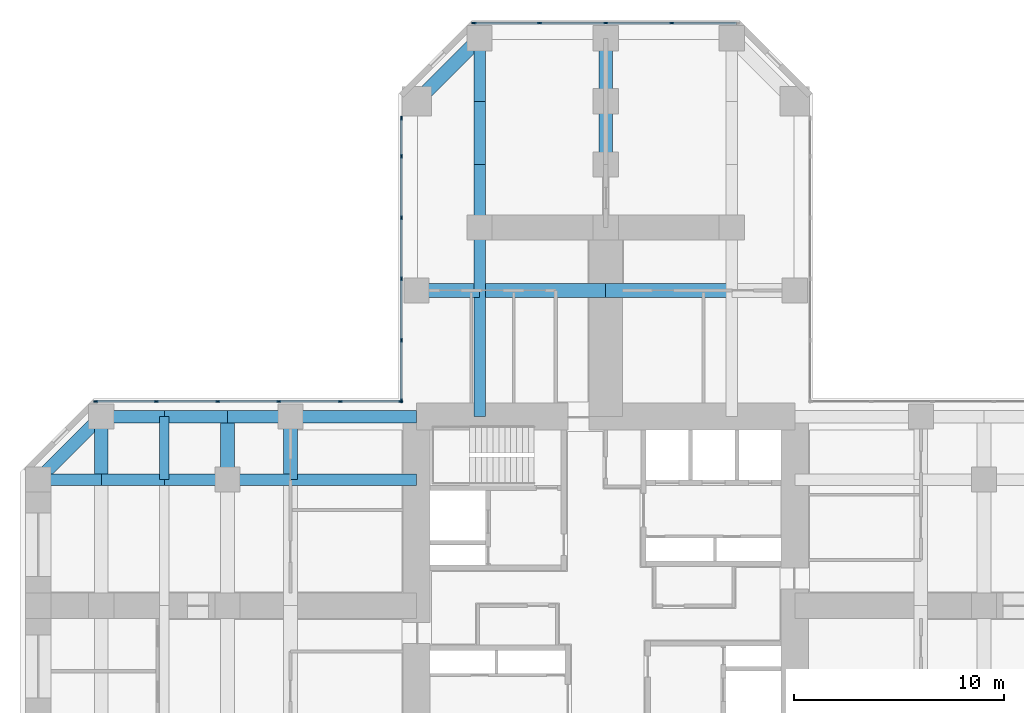
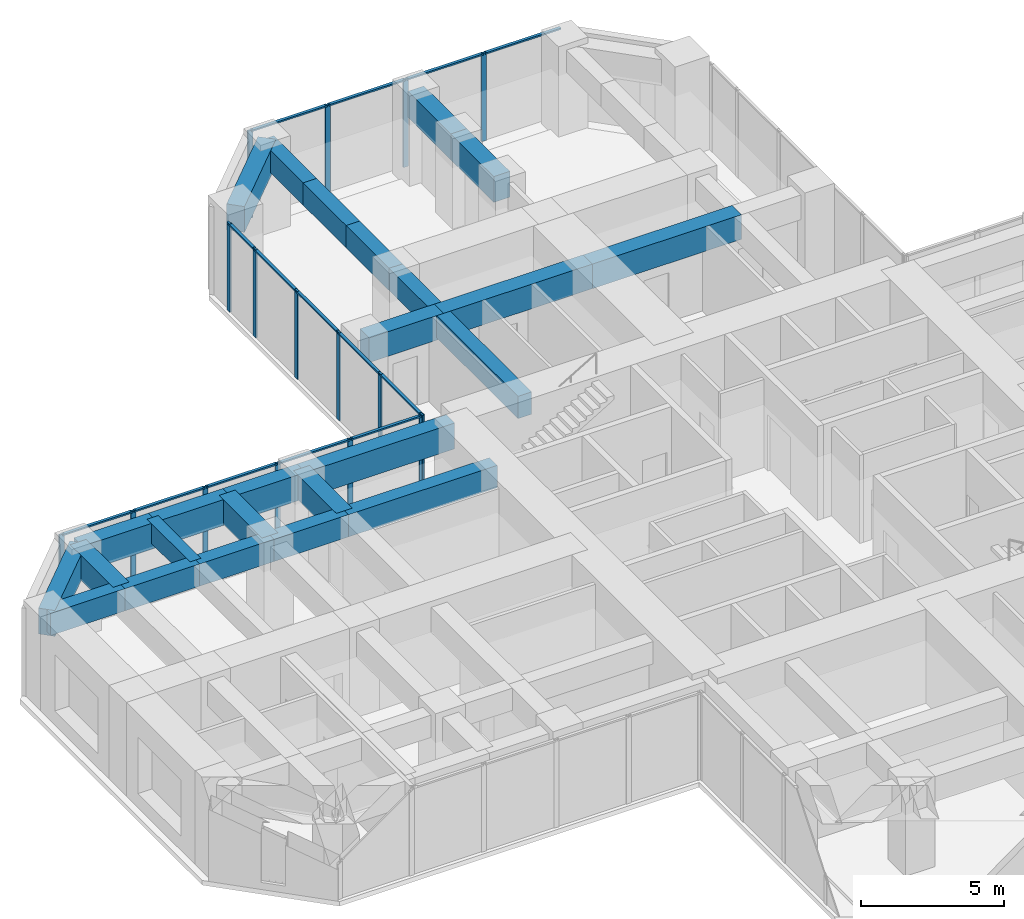
# One storey, part 5 of 13: 30 members, 25 beams, 3 elements without a shape of their own.
"""IFC4 building model written with IfcOpenShell, lengths in metres."""

import ifcopenshell
import ifcopenshell.guid

model = None  # the IFC model being written
_history = None  # IfcOwnerHistory: only IFC2X3 demands one
_inside = {}  # id of a spatial element -> (the spatial element, [elements in it])
_under = {}  # id of a project, library or spatial element -> (it, [spatial elements below it])
_declared = {}  # id of a project -> (the project, [libraries it declares])
_typed = {}  # id of a type object -> (the type object, [elements of that type])
_made_of = {}  # id of a material, layer set ... -> (it, [elements and type objects made of it])


def new_model(schema):
    """Start an empty IFC model of exactly this schema.

    Asked for "IFC4X3", IfcOpenShell would pick the latest addendum, in which some entities
    have other attributes; the version numbers below select the first issue.
    IFC2X3 requires an IfcOwnerHistory on every rooted entity: one is made here for all.
    """
    global model, _history
    if schema == "IFC4X3":
        model = ifcopenshell.file(schema_version=(4, 3, 0, 0))
    else:
        model = ifcopenshell.file(schema=schema)
    _inside.clear()
    _under.clear()
    _declared.clear()
    _typed.clear()
    _made_of.clear()
    _history = None
    if model.schema == "IFC2X3":
        org = make("IfcOrganization", Name="unknown")
        user = make(
            "IfcPersonAndOrganization",
            ThePerson=make("IfcPerson", FamilyName="unknown"),
            TheOrganization=org,
        )
        app = make(
            "IfcApplication",
            ApplicationDeveloper=org,
            Version="unknown",
            ApplicationFullName="unknown",
            ApplicationIdentifier="unknown",
        )
        _history = make(
            "IfcOwnerHistory",
            OwningUser=user,
            OwningApplication=app,
            ChangeAction="ADDED",
            CreationDate=0,
        )
    return model


def make(cls, **values):
    """One entity of the class cls with the attributes given. An attribute that is None is left unset."""
    return model.create_entity(
        cls, **{name: value for name, value in values.items() if value is not None}
    )


def rooted(cls, **values):
    """An entity with a GlobalId (a new one), such as an element, a storey or a relation."""
    return make(cls, GlobalId=ifcopenshell.guid.new(), OwnerHistory=_history, **values)


def si_unit(unit_type, name, prefix=None):
    """IfcSIUnit, for example si_unit("LENGTHUNIT", "METRE", prefix="MILLI")."""
    return make("IfcSIUnit", UnitType=unit_type, Prefix=prefix, Name=name)


def assignment(units):
    """IfcUnitAssignment: the units of a project."""
    return None if units is None else make("IfcUnitAssignment", Units=units)


def point(xyz):
    """IfcCartesianPoint."""
    return None if xyz is None else make("IfcCartesianPoint", Coordinates=xyz)


def direction(xyz):
    """IfcDirection."""
    return None if xyz is None else make("IfcDirection", DirectionRatios=xyz)


def frame(location, z_axis=None, x_axis=None):
    """IfcAxis2Placement3D, a coordinate frame: its origin and axes. An axis left out is left unset."""
    return make(
        "IfcAxis2Placement3D",
        Location=point(location),
        Axis=direction(z_axis),
        RefDirection=direction(x_axis),
    )


def frame_2d(location, x_axis=None):
    """IfcAxis2Placement2D, a coordinate frame in the plane: its origin and x axis."""
    return make(
        "IfcAxis2Placement2D", Location=point(location), RefDirection=direction(x_axis)
    )


def origin():
    """The frame at (0, 0, 0) with its axes left unset."""
    return frame((0.0, 0.0, 0.0))


def origin_2d():
    """The frame at (0, 0) in the plane with its x axis left unset."""
    return frame_2d((0.0, 0.0))


def place(relative_to, where):
    """IfcLocalPlacement: puts the frame where relative to a parent placement (None: the world)."""
    return make(
        "IfcLocalPlacement", PlacementRelTo=relative_to, RelativePlacement=where
    )


def context(
    kind, dimensions, precision=None, world=None, true_north=None, identifier=None
):
    """IfcGeometricRepresentationContext, for example the 3D "Model" context."""
    return make(
        "IfcGeometricRepresentationContext",
        ContextIdentifier=identifier,
        ContextType=kind,
        CoordinateSpaceDimension=dimensions,
        Precision=precision,
        WorldCoordinateSystem=world,
        TrueNorth=true_north,
    )


def subcontext(parent, identifier, kind, view, scale=None):
    """IfcGeometricRepresentationSubContext, for example "Body" below "Model"."""
    return make(
        "IfcGeometricRepresentationSubContext",
        ContextIdentifier=identifier,
        ContextType=kind,
        ParentContext=parent,
        TargetScale=scale,
        TargetView=view,
    )


def project(units=None, contexts=None):
    """IfcProject with its units and contexts."""
    return rooted(
        "IfcProject",
        Name="project",
        RepresentationContexts=contexts,
        UnitsInContext=assignment(units),
    )


def spatial(cls, under=None, at=None, **own):
    """A site, building, storey or space (cls), placed at a placement, below another one or the project."""
    s = rooted(cls, ObjectPlacement=at, **own)
    if under is not None:
        _under.setdefault(under.id(), (under, []))[1].append(s)
    return s


def profile(cls, at=None, kind="AREA", **sizes):
    """A parametric profile (cls). Its sizes go by their IFC names, for example OverallWidth=200.0."""
    return make(cls, ProfileType=kind, Position=at, **sizes)


def rectangle(**sizes):
    """IfcRectangleProfileDef."""
    return profile("IfcRectangleProfileDef", **sizes)


def extrude(swept, where, along, depth):
    """IfcExtrudedAreaSolid: the profile swept, set in the frame where, extruded along a direction by depth."""
    return make(
        "IfcExtrudedAreaSolid",
        SweptArea=swept,
        Position=where,
        ExtrudedDirection=direction(along),
        Depth=depth,
    )


def shape(context_of_items, identifier, shape_type, items):
    """IfcShapeRepresentation: the items that make up one representation, for example the "Body"."""
    return make(
        "IfcShapeRepresentation",
        ContextOfItems=context_of_items,
        RepresentationIdentifier=identifier,
        RepresentationType=shape_type,
        Items=items,
    )


def material(Name=None, Category=None):
    """IfcMaterial."""
    return make("IfcMaterial", Name=Name, Category=Category)


def material_profile(
    of_material, cross_section, Name=None, Category=None, Priority=None
):
    """IfcMaterialProfile: a cross section and its material."""
    return make(
        "IfcMaterialProfile",
        Name=Name,
        Material=of_material,
        Profile=cross_section,
        Priority=Priority,
        Category=Category,
    )


def profile_set(profiles, Name=None, composite=None):
    """IfcMaterialProfileSet."""
    return make(
        "IfcMaterialProfileSet",
        Name=Name,
        MaterialProfiles=profiles,
        CompositeProfile=composite,
    )


def made_of(thing, what):
    """Note that an element or type object is made of a material, layer set ...; save() writes the relation."""
    if what is not None:
        _made_of.setdefault(what.id(), (what, []))[1].append(thing)
    return thing


def type_object(cls, material=None, **own):
    """A type object (cls), such as IfcWallType, which elements share."""
    return made_of(rooted(cls, **own), material)


def element(
    cls,
    number,
    at=None,
    inside=None,
    cuts=None,
    type_object=None,
    material=None,
    context=None,
    identifier="Body",
    shape_type=None,
    held_by="IfcProductDefinitionShape",
    body=None,
    shapes=None,
    **own,
):
    """One element of the class cls, such as IfcWall. Its Tag is "e" and its number.

    at: its placement. inside: the storey or other place that contains it. cuts: it is an
    opening in that element (IfcRelVoidsElement). A single representation is given by context,
    identifier, shape_type and body (its items); several are given by shapes. held_by: the class
    of the entity that holds the representations. save() writes the other relations.
    """
    e = rooted(cls, Tag="e%d" % number, ObjectPlacement=at, **own)
    if body is not None:
        shapes = [shape(context, identifier, shape_type, body)]
    if shapes is not None:
        e.Representation = make(held_by, Representations=shapes)
    if inside is not None:
        _inside.setdefault(inside.id(), (inside, []))[1].append(e)
    if cuts is not None:
        rooted(
            "IfcRelVoidsElement", RelatingBuildingElement=cuts, RelatedOpeningElement=e
        )
    if type_object is not None:
        _typed.setdefault(type_object.id(), (type_object, []))[1].append(e)
    return made_of(e, material)


def aggregate(whole, parts):
    """IfcRelAggregates: a whole, such as a stair, and the parts it consists of."""
    return rooted("IfcRelAggregates", RelatingObject=whole, RelatedObjects=parts)


def save(model, path):
    """Write the relations noted so far, then the file.

    IfcRelAggregates (storeys below a building ...), IfcRelContainedInSpatialStructure (elements
    in a storey), IfcRelDefinesByType, IfcRelAssociatesMaterial and IfcRelDeclares: one each for
    every whole, place, type object, material and project.
    """
    for whole, parts in _under.values():
        aggregate(whole, parts)
    for where, things in _inside.values():
        rooted(
            "IfcRelContainedInSpatialStructure",
            RelatedElements=things,
            RelatingStructure=where,
        )
    for kind, things in _typed.values():
        rooted("IfcRelDefinesByType", RelatedObjects=things, RelatingType=kind)
    for what, things in _made_of.values():
        rooted("IfcRelAssociatesMaterial", RelatedObjects=things, RelatingMaterial=what)
    for by, libraries in _declared.values():
        rooted("IfcRelDeclares", RelatingContext=by, RelatedDefinitions=libraries)
    model.write(path)


model = new_model("IFC4")

# Units and contexts
model_context = context("Model", 3, precision=1e-05, world=origin(), true_north=direction((0.0, 1.0)))
body_context = subcontext(model_context, "Body", "Model", "MODEL_VIEW")
ifc_project = project(units=[si_unit("LENGTHUNIT", "METRE"), si_unit("AREAUNIT", "SQUARE_METRE"), si_unit("VOLUMEUNIT", "CUBIC_METRE"), si_unit("PLANEANGLEUNIT", "RADIAN"), si_unit("MASSUNIT", "GRAM", prefix="KILO")], contexts=[model_context])

# Site, building, storey
site_placement = place(None, origin())
site = spatial("IfcSite", under=ifc_project, at=site_placement, CompositionType="ELEMENT")
building_placement = place(site_placement, origin())
building = spatial("IfcBuilding", under=site, at=building_placement, Name="Torre Cruceta", CompositionType="ELEMENT")
storey_placement = place(building_placement, frame((0.0, 0.0, 91.5)))
storey = spatial("IfcBuildingStorey", under=building, at=storey_placement, Name="L22", CompositionType="ELEMENT", Elevation=91.5)

# Beams
ifc_material_1 = material(Name="Concrete G60 (fck 60 MPa)", Category="concrete")
ifc_material_profile_1 = material_profile(ifc_material_1, rectangle(XDim=0.64990234375, YDim=1.10009765625, at=origin_2d()), Name="RC 650X1100")
ifc_profile_set_1 = profile_set([ifc_material_profile_1], Name="Concrete G60 (fck 60 MPa)")
beam_type_1 = type_object("IfcBeamType", Name="ARM CENTRE BEAM RC 650X1100", PredefinedType="BEAM", material=ifc_profile_set_1)
for number, where, z_axis, x_axis, name in (
    (1, (0.0, 21.0, 3.199951171875), (0.0, 1.0, 0.0), (-1.0, 0.0, 0.0), "MB2 L22 N centre 1"),
    (2, (0.0, 24.0, 3.199951171875), (0.0, 1.0, 0.0), (-1.0, 0.0, 0.0), "MB2 L22 N centre 2"),
):
    element("IfcBeam", number, at=place(storey_placement, frame(where, z_axis=z_axis, x_axis=x_axis)), inside=storey, type_object=beam_type_1, Name=name, PredefinedType="BEAM", context=body_context, shape_type="SweptSolid", body=[
        extrude(rectangle(XDim=0.64990234375, YDim=1.10009765625, at=origin_2d()), origin(), (0.0, 0.0, 1.0), 3.0),
    ])
ifc_material_2 = material(Name="Concrete G60 (fck 60 MPa)", Category="concrete")
ifc_material_profile_2 = material_profile(ifc_material_2, rectangle(XDim=0.550048828125, YDim=0.949951171875, at=origin_2d()), Name="RC 550X950")
ifc_profile_set_2 = profile_set([ifc_material_profile_2], Name="Concrete G60 (fck 60 MPa)")
beam_type_2 = type_object("IfcBeamType", Name="COLUMN LINE BEAM RC 550X950", PredefinedType="BEAM", material=ifc_profile_set_2)
beam_1_placement = place(storey_placement, frame((-6.0, 9.0, 3.27490234375), z_axis=(0.0, 1.0, 0.0), x_axis=(-1.0, 0.0, 0.0)))
element("IfcBeam", 3, at=beam_1_placement, inside=storey, type_object=beam_type_2, Name="LB3 L22 N col+ 1", PredefinedType="BEAM", context=body_context, shape_type="SweptSolid", body=[
    extrude(rectangle(XDim=0.550048828125, YDim=0.949951171875, at=origin_2d()), origin(), (0.0, 0.0, 1.0), 6.0),
])
for number, where, z_axis, x_axis, name in (
    (4, (-6.0, 15.0, 3.27490234375), (0.0, 1.0, 0.0), (-1.0, 0.0, 0.0), "LB3 L22 N col+ 2"),
    (5, (-6.0, 18.0, 3.27490234375), (0.0, 1.0, 0.0), (-1.0, 0.0, 0.0), "LB3 L22 N col+ 3"),
    (6, (-6.0, 21.0, 3.27490234375), (0.0, 1.0, 0.0), (-1.0, 0.0, 0.0), "LB3 L22 N col+ 4"),
    (7, (-6.0, 24.0, 3.27490234375), (0.0, 1.0, 0.0), (-1.0, 0.0, 0.0), "LB3 L22 N col+ 5"),
):
    element("IfcBeam", number, at=place(storey_placement, frame(where, z_axis=z_axis, x_axis=x_axis)), inside=storey, type_object=beam_type_2, Name=name, PredefinedType="BEAM", context=body_context, shape_type="SweptSolid", body=[
        extrude(rectangle(XDim=0.550048828125, YDim=0.949951171875, at=origin_2d()), origin(), (0.0, 0.0, 1.0), 3.0),
    ])
beam_2_placement = place(storey_placement, frame((-9.0, 6.0, 3.27490234375), z_axis=(-1.0, 0.0, 0.0), x_axis=(0.0, -1.0, 0.0)))
element("IfcBeam", 8, at=beam_2_placement, inside=storey, type_object=beam_type_2, Name="LB3 L22 W col- 1", PredefinedType="BEAM", context=body_context, shape_type="SweptSolid", body=[
    extrude(rectangle(XDim=0.550048828125, YDim=0.949951171875, at=origin_2d()), origin(), (0.0, 0.0, 1.0), 6.0),
])
for number, where, z_axis, x_axis, name in (
    (9, (-15.0, 6.0, 3.27490234375), (-1.0, 0.0, 0.0), (0.0, -1.0, 0.0), "LB3 L22 W col- 2"),
    (10, (-18.0, 6.0, 3.27490234375), (-1.0, 0.0, 0.0), (0.0, -1.0, 0.0), "LB3 L22 W col- 3"),
    (11, (-21.0, 6.0, 3.27490234375), (-1.0, 0.0, 0.0), (0.0, -1.0, 0.0), "LB3 L22 W col- 4"),
    (12, (-24.0, 6.0, 3.27490234375), (-1.0, 0.0, 0.0), (0.0, -1.0, 0.0), "LB3 L22 W col- 5"),
):
    element("IfcBeam", number, at=place(storey_placement, frame(where, z_axis=z_axis, x_axis=x_axis)), inside=storey, type_object=beam_type_2, Name=name, PredefinedType="BEAM", context=body_context, shape_type="SweptSolid", body=[
        extrude(rectangle(XDim=0.550048828125, YDim=0.949951171875, at=origin_2d()), origin(), (0.0, 0.0, 1.0), 3.0),
    ])
ifc_material_3 = material(Name="Concrete G60 (fck 60 MPa)", Category="concrete")
ifc_material_profile_3 = material_profile(ifc_material_3, rectangle(XDim=0.64990234375, YDim=1.050048828125, at=origin_2d()), Name="RC 650X1050")
ifc_profile_set_3 = profile_set([ifc_material_profile_3], Name="Concrete G60 (fck 60 MPa)")
beam_type_3 = type_object("IfcBeamType", Name="CROSS BEAM RC 650X1050", PredefinedType="BEAM", material=ifc_profile_set_3)
for number, where, z_axis, x_axis, name in (
    (13, (6.0, 15.0, 3.22509765625), (-1.0, 0.0, 0.0), (0.0, -1.0, 0.0), "GB3 L22 N cross15 2"),
    (14, (0.0, 15.0, 3.22509765625), (-1.0, 0.0, 0.0), (0.0, -1.0, 0.0), "GB3 L22 N cross15 3"),
):
    element("IfcBeam", number, at=place(storey_placement, frame(where, z_axis=z_axis, x_axis=x_axis)), inside=storey, type_object=beam_type_3, Name=name, PredefinedType="BEAM", context=body_context, shape_type="SweptSolid", body=[
        extrude(rectangle(XDim=0.64990234375, YDim=1.050048828125, at=origin_2d()), origin(), (0.0, 0.0, 1.0), 6.0),
    ])
for number, where, z_axis, x_axis, name in (
    (15, (-6.0, 15.0, 3.22509765625), (-1.0, 0.0, 0.0), (0.0, -1.0, 0.0), "GB3 L22 N cross15 4"),
    (16, (-15.0, 9.0, 3.22509765625), (0.0, -1.0, 0.0), (1.0, 0.0, 0.0), "GB3 L22 W cross15 1"),
    (17, (-18.0, 9.0, 3.22509765625), (0.0, -1.0, 0.0), (1.0, 0.0, 0.0), "GB3 L22 W cross18 1"),
    (18, (-24.0, 9.0, 3.22509765625), (0.0, -1.0, 0.0), (1.0, 0.0, 0.0), "GB3 L22 W cross24 1"),
):
    element("IfcBeam", number, at=place(storey_placement, frame(where, z_axis=z_axis, x_axis=x_axis)), inside=storey, type_object=beam_type_3, Name=name, PredefinedType="BEAM", context=body_context, shape_type="SweptSolid", body=[
        extrude(rectangle(XDim=0.64990234375, YDim=1.050048828125, at=origin_2d()), origin(), (0.0, 0.0, 1.0), 3.0),
    ])

# Curtain wall, members
ifc_material_4 = material(Name="Aluminium unitised curtain wall", Category="aluminium")
curtain_wall_type = type_object("IfcCurtainWallType", Name="CURTAIN WALL CW-A OFFICE LOW RISE", PredefinedType="USERDEFINED", material=ifc_material_4)
curtain_wall_1_placement = place(storey_placement, origin())
curtain_wall_1 = element("IfcCurtainWall", 19, at=curtain_wall_1_placement, inside=storey, type_object=curtain_wall_type, Name="CW-A L22 N tip 07", ObjectType="UNITISED", PredefinedType="USERDEFINED")
ifc_material_5 = material(Name="Aluminium mullion", Category="aluminium")
ifc_material_profile_4 = material_profile(ifc_material_5, rectangle(XDim=0.06494140625, YDim=0.199951171875, at=origin_2d()), Name="AL 65X200")
ifc_profile_set_4 = profile_set([ifc_material_profile_4], Name="Aluminium mullion")
member_type_1 = type_object("IfcMemberType", Name="CW-A MULLION 65X200", PredefinedType="MULLION", material=ifc_profile_set_4)
member_1_placement = place(storey_placement, frame((3.149169921875, 27.719970703125, 0.0), z_axis=(0.0, 0.0, 1.0), x_axis=(0.0, -1.0, 0.0)))
member_1 = element("IfcMember", 20, at=member_1_placement, type_object=member_type_1, Name="CW-A mullion 2", PredefinedType="MULLION", context=body_context, shape_type="SweptSolid", body=[
    extrude(rectangle(XDim=0.06494140625, YDim=0.199951171875, at=origin_2d()), origin(), (0.0, 0.0, 1.0), 3.75),
])
member_2_placement = place(storey_placement, frame((0.0, 27.719970703125, 0.0), z_axis=(0.0, 0.0, 1.0), x_axis=(0.0, -1.0, 0.0)))
member_2 = element("IfcMember", 21, at=member_2_placement, type_object=member_type_1, Name="CW-A mullion 3", PredefinedType="MULLION", context=body_context, shape_type="SweptSolid", body=[
    extrude(rectangle(XDim=0.06494140625, YDim=0.199951171875, at=origin_2d()), origin(), (0.0, 0.0, 1.0), 3.75),
])
member_3_placement = place(storey_placement, frame((-3.149169921875, 27.719970703125, 0.0), z_axis=(0.0, 0.0, 1.0), x_axis=(0.0, -1.0, 0.0)))
member_3 = element("IfcMember", 22, at=member_3_placement, type_object=member_type_1, Name="CW-A mullion 4", PredefinedType="MULLION", context=body_context, shape_type="SweptSolid", body=[
    extrude(rectangle(XDim=0.06494140625, YDim=0.199951171875, at=origin_2d()), origin(), (0.0, 0.0, 1.0), 3.75),
])
member_4_placement = place(storey_placement, frame((-6.265625, 27.719970703125, 0.0), z_axis=(0.0, 0.0, 1.0), x_axis=(0.0, -1.0, 0.0)))
member_4 = element("IfcMember", 23, at=member_4_placement, type_object=member_type_1, Name="CW-A mullion 5", PredefinedType="MULLION", context=body_context, shape_type="SweptSolid", body=[
    extrude(rectangle(XDim=0.06494140625, YDim=0.199951171875, at=origin_2d()), origin(), (0.0, 0.0, 1.0), 3.75),
])

curtain_wall_2_placement = place(storey_placement, origin())
curtain_wall_2 = element("IfcCurtainWall", 24, at=curtain_wall_2_placement, inside=storey, type_object=curtain_wall_type, Name="CW-A L22 N side 09", ObjectType="UNITISED", PredefinedType="USERDEFINED")
member_5_placement = place(storey_placement, frame((-9.719970703125, 23.198974609375, 0.0), z_axis=(0.0, 0.0, 1.0), x_axis=(1.0, 0.0, 0.0)))
member_5 = element("IfcMember", 25, at=member_5_placement, type_object=member_type_1, Name="CW-A mullion 1", PredefinedType="MULLION", context=body_context, shape_type="SweptSolid", body=[
    extrude(rectangle(XDim=0.06494140625, YDim=0.199951171875, at=origin_2d()), origin(), (0.0, 0.0, 1.0), 3.75),
])
member_6_placement = place(storey_placement, frame((-9.719970703125, 21.382568359375, 0.0), z_axis=(0.0, 0.0, 1.0), x_axis=(1.0, 0.0, 0.0)))
member_6 = element("IfcMember", 26, at=member_6_placement, type_object=member_type_1, Name="CW-A mullion 2", PredefinedType="MULLION", context=body_context, shape_type="SweptSolid", body=[
    extrude(rectangle(XDim=0.06494140625, YDim=0.199951171875, at=origin_2d()), origin(), (0.0, 0.0, 1.0), 3.75),
])
member_7_placement = place(storey_placement, frame((-9.719970703125, 18.467041015625, 0.0), z_axis=(0.0, 0.0, 1.0), x_axis=(1.0, 0.0, 0.0)))
member_7 = element("IfcMember", 27, at=member_7_placement, type_object=member_type_1, Name="CW-A mullion 3", PredefinedType="MULLION", context=body_context, shape_type="SweptSolid", body=[
    extrude(rectangle(XDim=0.06494140625, YDim=0.199951171875, at=origin_2d()), origin(), (0.0, 0.0, 1.0), 3.75),
])
member_8_placement = place(storey_placement, frame((-9.719970703125, 15.55126953125, 0.0), z_axis=(0.0, 0.0, 1.0), x_axis=(1.0, 0.0, 0.0)))
member_8 = element("IfcMember", 28, at=member_8_placement, type_object=member_type_1, Name="CW-A mullion 4", PredefinedType="MULLION", context=body_context, shape_type="SweptSolid", body=[
    extrude(rectangle(XDim=0.06494140625, YDim=0.199951171875, at=origin_2d()), origin(), (0.0, 0.0, 1.0), 3.75),
])
member_9_placement = place(storey_placement, frame((-9.719970703125, 12.6357421875, 0.0), z_axis=(0.0, 0.0, 1.0), x_axis=(1.0, 0.0, 0.0)))
member_9 = element("IfcMember", 29, at=member_9_placement, type_object=member_type_1, Name="CW-A mullion 5", PredefinedType="MULLION", context=body_context, shape_type="SweptSolid", body=[
    extrude(rectangle(XDim=0.06494140625, YDim=0.199951171875, at=origin_2d()), origin(), (0.0, 0.0, 1.0), 3.75),
])
member_10_placement = place(storey_placement, frame((-9.719970703125, 9.75244140625, 0.0), z_axis=(0.0, 0.0, 1.0), x_axis=(1.0, 0.0, 0.0)))
member_10 = element("IfcMember", 30, at=member_10_placement, type_object=member_type_1, Name="CW-A mullion 6", PredefinedType="MULLION", context=body_context, shape_type="SweptSolid", body=[
    extrude(rectangle(XDim=0.06494140625, YDim=0.199951171875, at=origin_2d()), origin(), (0.0, 0.0, 1.0), 3.75),
])

curtain_wall_3_placement = place(storey_placement, origin())
curtain_wall_3 = element("IfcCurtainWall", 31, at=curtain_wall_3_placement, inside=storey, type_object=curtain_wall_type, Name="CW-A L22 W side 10", ObjectType="UNITISED", PredefinedType="USERDEFINED")
member_11_placement = place(storey_placement, frame((-9.75244140625, 9.719970703125, 0.0), z_axis=(0.0, 0.0, 1.0), x_axis=(0.0, -1.0, 0.0)))
member_11 = element("IfcMember", 32, at=member_11_placement, type_object=member_type_1, Name="CW-A mullion 1", PredefinedType="MULLION", context=body_context, shape_type="SweptSolid", body=[
    extrude(rectangle(XDim=0.06494140625, YDim=0.199951171875, at=origin_2d()), origin(), (0.0, 0.0, 1.0), 3.75),
])
member_12_placement = place(storey_placement, frame((-12.6357421875, 9.719970703125, 0.0), z_axis=(0.0, 0.0, 1.0), x_axis=(0.0, -1.0, 0.0)))
member_12 = element("IfcMember", 33, at=member_12_placement, type_object=member_type_1, Name="CW-A mullion 2", PredefinedType="MULLION", context=body_context, shape_type="SweptSolid", body=[
    extrude(rectangle(XDim=0.06494140625, YDim=0.199951171875, at=origin_2d()), origin(), (0.0, 0.0, 1.0), 3.75),
])
member_13_placement = place(storey_placement, frame((-15.55126953125, 9.719970703125, 0.0), z_axis=(0.0, 0.0, 1.0), x_axis=(0.0, -1.0, 0.0)))
member_13 = element("IfcMember", 34, at=member_13_placement, type_object=member_type_1, Name="CW-A mullion 3", PredefinedType="MULLION", context=body_context, shape_type="SweptSolid", body=[
    extrude(rectangle(XDim=0.06494140625, YDim=0.199951171875, at=origin_2d()), origin(), (0.0, 0.0, 1.0), 3.75),
])
member_14_placement = place(storey_placement, frame((-18.467041015625, 9.719970703125, 0.0), z_axis=(0.0, 0.0, 1.0), x_axis=(0.0, -1.0, 0.0)))
member_14 = element("IfcMember", 35, at=member_14_placement, type_object=member_type_1, Name="CW-A mullion 4", PredefinedType="MULLION", context=body_context, shape_type="SweptSolid", body=[
    extrude(rectangle(XDim=0.06494140625, YDim=0.199951171875, at=origin_2d()), origin(), (0.0, 0.0, 1.0), 3.75),
])
member_15_placement = place(storey_placement, frame((-21.382568359375, 9.719970703125, 0.0), z_axis=(0.0, 0.0, 1.0), x_axis=(0.0, -1.0, 0.0)))
member_15 = element("IfcMember", 36, at=member_15_placement, type_object=member_type_1, Name="CW-A mullion 5", PredefinedType="MULLION", context=body_context, shape_type="SweptSolid", body=[
    extrude(rectangle(XDim=0.06494140625, YDim=0.199951171875, at=origin_2d()), origin(), (0.0, 0.0, 1.0), 3.75),
])
member_16_placement = place(storey_placement, frame((-24.265625, 9.719970703125, 0.0), z_axis=(0.0, 0.0, 1.0), x_axis=(0.0, -1.0, 0.0)))
member_16 = element("IfcMember", 37, at=member_16_placement, type_object=member_type_1, Name="CW-A mullion 6", PredefinedType="MULLION", context=body_context, shape_type="SweptSolid", body=[
    extrude(rectangle(XDim=0.06494140625, YDim=0.199951171875, at=origin_2d()), origin(), (0.0, 0.0, 1.0), 3.75),
])

# Member
ifc_material_6 = material(Name="Aluminium transom", Category="aluminium")
ifc_material_profile_5 = material_profile(ifc_material_6, rectangle(XDim=0.1201171875, YDim=0.06494140625, at=origin_2d()), Name="AL 120X65")
ifc_profile_set_5 = profile_set([ifc_material_profile_5], Name="Aluminium transom")
member_type_2 = type_object("IfcMemberType", Name="CW-A TRANSOM 65X120", PredefinedType="USERDEFINED", material=ifc_profile_set_5)
member_17_placement = place(storey_placement, frame((6.233154296875, 27.719970703125, 3.717529296875), z_axis=(-1.0, 0.0, 0.0), x_axis=(0.0, -1.0, 0.0)))
member_17 = element("IfcMember", 38, at=member_17_placement, type_object=member_type_2, Name="CW-A transom 1", ObjectType="TRANSOM", PredefinedType="USERDEFINED", context=body_context, shape_type="SweptSolid", body=[
    extrude(rectangle(XDim=0.1201171875, YDim=0.06494140625, at=origin_2d()), origin(), (0.0, 0.0, 1.0), 3.051513671875),
])

member_18_placement = place(storey_placement, frame((3.11669921875, 27.719970703125, 3.717529296875), z_axis=(-1.0, 0.0, 0.0), x_axis=(0.0, -1.0, 0.0)))
member_18 = element("IfcMember", 39, at=member_18_placement, type_object=member_type_2, Name="CW-A transom 2", ObjectType="TRANSOM", PredefinedType="USERDEFINED", context=body_context, shape_type="SweptSolid", body=[
    extrude(rectangle(XDim=0.1201171875, YDim=0.06494140625, at=origin_2d()), origin(), (0.0, 0.0, 1.0), 3.084228515625),
])

member_19_placement = place(storey_placement, frame((-0.032470703125, 27.719970703125, 3.717529296875), z_axis=(-1.0, 0.0, 0.0), x_axis=(0.0, -1.0, 0.0)))
member_19 = element("IfcMember", 40, at=member_19_placement, type_object=member_type_2, Name="CW-A transom 3", ObjectType="TRANSOM", PredefinedType="USERDEFINED", context=body_context, shape_type="SweptSolid", body=[
    extrude(rectangle(XDim=0.1201171875, YDim=0.06494140625, at=origin_2d()), origin(), (0.0, 0.0, 1.0), 3.084228515625),
])

member_20_placement = place(storey_placement, frame((-3.181640625, 27.719970703125, 3.717529296875), z_axis=(-1.0, 0.0, 0.0), x_axis=(0.0, -1.0, 0.0)))
member_20 = element("IfcMember", 41, at=member_20_placement, type_object=member_type_2, Name="CW-A transom 4", ObjectType="TRANSOM", PredefinedType="USERDEFINED", context=body_context, shape_type="SweptSolid", body=[
    extrude(rectangle(XDim=0.1201171875, YDim=0.06494140625, at=origin_2d()), origin(), (0.0, 0.0, 1.0), 3.051513671875),
])

aggregate(curtain_wall_1, [member_1, member_2, member_3, member_4, member_17, member_18, member_19, member_20])

member_21_placement = place(storey_placement, frame((-9.719970703125, 23.16650390625, 3.717529296875), z_axis=(0.0, -1.0, 0.0), x_axis=(1.0, 0.0, 0.0)))
member_21 = element("IfcMember", 42, at=member_21_placement, type_object=member_type_2, Name="CW-A transom 1", ObjectType="TRANSOM", PredefinedType="USERDEFINED", context=body_context, shape_type="SweptSolid", body=[
    extrude(rectangle(XDim=0.1201171875, YDim=0.06494140625, at=origin_2d()), origin(), (0.0, 0.0, 1.0), 1.75146484375),
])

member_22_placement = place(storey_placement, frame((-9.719970703125, 21.35009765625, 3.717529296875), z_axis=(0.0, -1.0, 0.0), x_axis=(1.0, 0.0, 0.0)))
member_22 = element("IfcMember", 43, at=member_22_placement, type_object=member_type_2, Name="CW-A transom 2", ObjectType="TRANSOM", PredefinedType="USERDEFINED", context=body_context, shape_type="SweptSolid", body=[
    extrude(rectangle(XDim=0.1201171875, YDim=0.06494140625, at=origin_2d()), origin(), (0.0, 0.0, 1.0), 2.8505859375),
])

member_23_placement = place(storey_placement, frame((-9.719970703125, 18.434326171875, 3.717529296875), z_axis=(0.0, -1.0, 0.0), x_axis=(1.0, 0.0, 0.0)))
member_23 = element("IfcMember", 44, at=member_23_placement, type_object=member_type_2, Name="CW-A transom 3", ObjectType="TRANSOM", PredefinedType="USERDEFINED", context=body_context, shape_type="SweptSolid", body=[
    extrude(rectangle(XDim=0.1201171875, YDim=0.06494140625, at=origin_2d()), origin(), (0.0, 0.0, 1.0), 2.8505859375),
])

member_24_placement = place(storey_placement, frame((-9.719970703125, 15.518798828125, 3.717529296875), z_axis=(0.0, -1.0, 0.0), x_axis=(1.0, 0.0, 0.0)))
member_24 = element("IfcMember", 45, at=member_24_placement, type_object=member_type_2, Name="CW-A transom 4", ObjectType="TRANSOM", PredefinedType="USERDEFINED", context=body_context, shape_type="SweptSolid", body=[
    extrude(rectangle(XDim=0.1201171875, YDim=0.06494140625, at=origin_2d()), origin(), (0.0, 0.0, 1.0), 2.8505859375),
])

member_25_placement = place(storey_placement, frame((-9.719970703125, 12.60302734375, 3.717529296875), z_axis=(0.0, -1.0, 0.0), x_axis=(1.0, 0.0, 0.0)))
member_25 = element("IfcMember", 46, at=member_25_placement, type_object=member_type_2, Name="CW-A transom 5", ObjectType="TRANSOM", PredefinedType="USERDEFINED", context=body_context, shape_type="SweptSolid", body=[
    extrude(rectangle(XDim=0.1201171875, YDim=0.06494140625, at=origin_2d()), origin(), (0.0, 0.0, 1.0), 2.818115234375),
])

aggregate(curtain_wall_2, [member_5, member_6, member_7, member_8, member_9, member_10, member_21, member_22, member_23, member_24, member_25])

member_26_placement = place(storey_placement, frame((-9.784912109375, 9.719970703125, 3.717529296875), z_axis=(-1.0, 0.0, 0.0), x_axis=(0.0, -1.0, 0.0)))
member_26 = element("IfcMember", 47, at=member_26_placement, type_object=member_type_2, Name="CW-A transom 1", ObjectType="TRANSOM", PredefinedType="USERDEFINED", context=body_context, shape_type="SweptSolid", body=[
    extrude(rectangle(XDim=0.1201171875, YDim=0.06494140625, at=origin_2d()), origin(), (0.0, 0.0, 1.0), 2.818115234375),
])

member_27_placement = place(storey_placement, frame((-12.668212890625, 9.719970703125, 3.717529296875), z_axis=(-1.0, 0.0, 0.0), x_axis=(0.0, -1.0, 0.0)))
member_27 = element("IfcMember", 48, at=member_27_placement, type_object=member_type_2, Name="CW-A transom 2", ObjectType="TRANSOM", PredefinedType="USERDEFINED", context=body_context, shape_type="SweptSolid", body=[
    extrude(rectangle(XDim=0.1201171875, YDim=0.06494140625, at=origin_2d()), origin(), (0.0, 0.0, 1.0), 2.8505859375),
])

member_28_placement = place(storey_placement, frame((-15.583740234375, 9.719970703125, 3.717529296875), z_axis=(-1.0, 0.0, 0.0), x_axis=(0.0, -1.0, 0.0)))
member_28 = element("IfcMember", 49, at=member_28_placement, type_object=member_type_2, Name="CW-A transom 3", ObjectType="TRANSOM", PredefinedType="USERDEFINED", context=body_context, shape_type="SweptSolid", body=[
    extrude(rectangle(XDim=0.1201171875, YDim=0.06494140625, at=origin_2d()), origin(), (0.0, 0.0, 1.0), 2.8505859375),
])

member_29_placement = place(storey_placement, frame((-18.49951171875, 9.719970703125, 3.717529296875), z_axis=(-1.0, 0.0, 0.0), x_axis=(0.0, -1.0, 0.0)))
member_29 = element("IfcMember", 50, at=member_29_placement, type_object=member_type_2, Name="CW-A transom 4", ObjectType="TRANSOM", PredefinedType="USERDEFINED", context=body_context, shape_type="SweptSolid", body=[
    extrude(rectangle(XDim=0.1201171875, YDim=0.06494140625, at=origin_2d()), origin(), (0.0, 0.0, 1.0), 2.8505859375),
])

member_30_placement = place(storey_placement, frame((-21.4150390625, 9.719970703125, 3.717529296875), z_axis=(-1.0, 0.0, 0.0), x_axis=(0.0, -1.0, 0.0)))
member_30 = element("IfcMember", 51, at=member_30_placement, type_object=member_type_2, Name="CW-A transom 5", ObjectType="TRANSOM", PredefinedType="USERDEFINED", context=body_context, shape_type="SweptSolid", body=[
    extrude(rectangle(XDim=0.1201171875, YDim=0.06494140625, at=origin_2d()), origin(), (0.0, 0.0, 1.0), 2.818115234375),
])

aggregate(curtain_wall_3, [member_11, member_12, member_13, member_14, member_15, member_16, member_26, member_27, member_28, member_29, member_30])

# Beams
ifc_material_7 = material(Name="Concrete G60 (fck 60 MPa)", Category="concrete")
ifc_material_profile_6 = material_profile(ifc_material_7, rectangle(XDim=0.449951171875, YDim=0.85009765625, at=origin_2d()), Name="RC 450X850")
ifc_profile_set_6 = profile_set([ifc_material_profile_6], Name="Concrete G60 (fck 60 MPa)")
beam_type_4 = type_object("IfcBeamType", Name="SECONDARY BEAM RC 450X850", PredefinedType="JOIST", material=ifc_profile_set_6)
beam_3_placement = place(storey_placement, frame((-21.0, 9.0, 3.324951171875), z_axis=(0.0, -1.0, 0.0), x_axis=(1.0, 0.0, 0.0)))
element("IfcBeam", 52, at=beam_3_placement, inside=storey, type_object=beam_type_4, Name="JB4 L22 W sec21 1", PredefinedType="JOIST", context=body_context, shape_type="SweptSolid", body=[
    extrude(rectangle(XDim=0.449951171875, YDim=0.85009765625, at=origin_2d()), origin(), (0.0, 0.0, 1.0), 3.0),
])
ifc_material_8 = material(Name="Concrete G60 (fck 60 MPa)", Category="concrete")
ifc_material_profile_7 = material_profile(ifc_material_8, rectangle(XDim=0.60009765625, YDim=1.10009765625, at=origin_2d()), Name="RC 600X1100")
ifc_profile_set_7 = profile_set([ifc_material_profile_7], Name="Concrete G60 (fck 60 MPa)")
beam_type_5 = type_object("IfcBeamType", Name="SPANDREL BEAM RC 600X1100", PredefinedType="SPANDREL", material=ifc_profile_set_7)
beam_4_placement = place(storey_placement, frame((-9.0, 9.0, 3.199951171875), z_axis=(-1.0, 0.0, 0.0), x_axis=(0.0, -1.0, 0.0)))
element("IfcBeam", 53, at=beam_4_placement, inside=storey, type_object=beam_type_5, Name="SB2 L22 W side- 1", PredefinedType="SPANDREL", context=body_context, shape_type="SweptSolid", body=[
    extrude(rectangle(XDim=0.60009765625, YDim=1.10009765625, at=origin_2d()), origin(), (0.0, 0.0, 1.0), 6.0),
])
for number, where, z_axis, x_axis, name in (
    (54, (-15.0, 9.0, 3.199951171875), (-1.0, 0.0, 0.0), (0.0, -1.0, 0.0), "SB2 L22 W side- 2"),
    (55, (-18.0, 9.0, 3.199951171875), (-1.0, 0.0, 0.0), (0.0, -1.0, 0.0), "SB2 L22 W side- 3"),
    (56, (-21.0, 9.0, 3.199951171875), (-1.0, 0.0, 0.0), (0.0, -1.0, 0.0), "SB2 L22 W side- 4"),
):
    element("IfcBeam", number, at=place(storey_placement, frame(where, z_axis=z_axis, x_axis=x_axis)), inside=storey, type_object=beam_type_5, Name=name, PredefinedType="SPANDREL", context=body_context, shape_type="SweptSolid", body=[
        extrude(rectangle(XDim=0.60009765625, YDim=1.10009765625, at=origin_2d()), origin(), (0.0, 0.0, 1.0), 3.0),
    ])
beam_5_placement = place(storey_placement, frame((-24.0, 9.0, 3.199951171875), z_axis=(-0.707106781187, -0.707106781187, 0.0), x_axis=(0.707106781187, -0.707106781187, 0.0)))
element("IfcBeam", 57, at=beam_5_placement, inside=storey, type_object=beam_type_5, Name="SB2 L22 W side- 5", PredefinedType="SPANDREL", context=body_context, shape_type="SweptSolid", body=[
    extrude(rectangle(XDim=0.60009765625, YDim=1.10009765625, at=origin_2d()), origin(), (0.0, 0.0, 1.0), 4.24267578125),
])
ifc_material_9 = material(Name="Concrete G60 (fck 60 MPa)", Category="concrete")
ifc_material_profile_8 = material_profile(ifc_material_9, rectangle(XDim=0.64990234375, YDim=1.10009765625, at=origin_2d()), Name="RC 650X1100")
ifc_profile_set_8 = profile_set([ifc_material_profile_8], Name="Concrete G60 (fck 60 MPa)")
beam_type_6 = type_object("IfcBeamType", Name="SPANDREL BEAM RC 650X1100", PredefinedType="SPANDREL", material=ifc_profile_set_8)
beam_6_placement = place(storey_placement, frame((-9.0, 24.0, 3.199951171875), z_axis=(0.707106781187, 0.707106781187, 0.0), x_axis=(-0.707106781187, 0.707106781187, 0.0)))
element("IfcBeam", 58, at=beam_6_placement, inside=storey, type_object=beam_type_6, Name="SB3 L22 N side+ 5", PredefinedType="SPANDREL", context=body_context, shape_type="SweptSolid", body=[
    extrude(rectangle(XDim=0.64990234375, YDim=1.10009765625, at=origin_2d()), origin(), (0.0, 0.0, 1.0), 4.24267578125),
])

save(model, "model.ifc")
